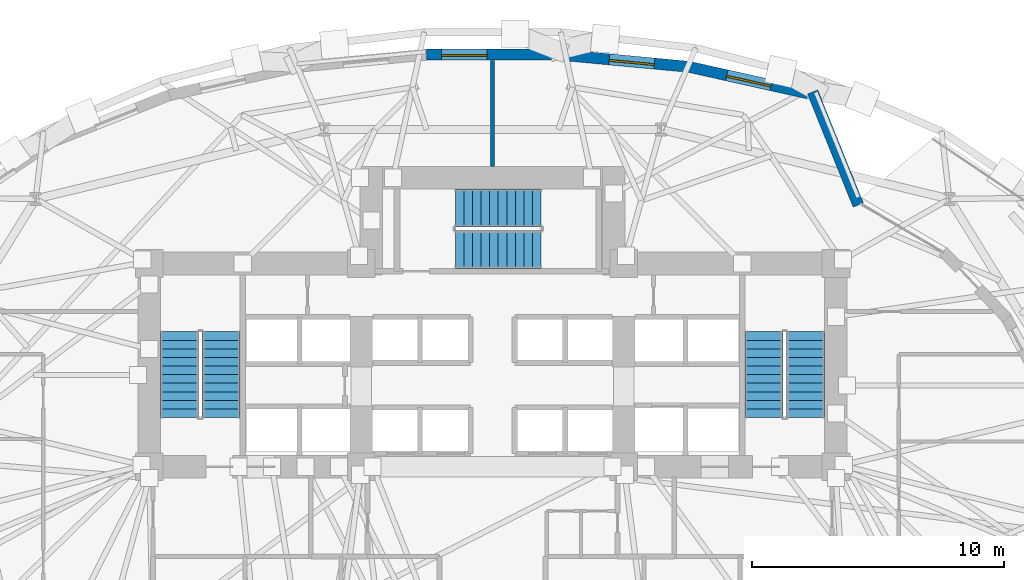
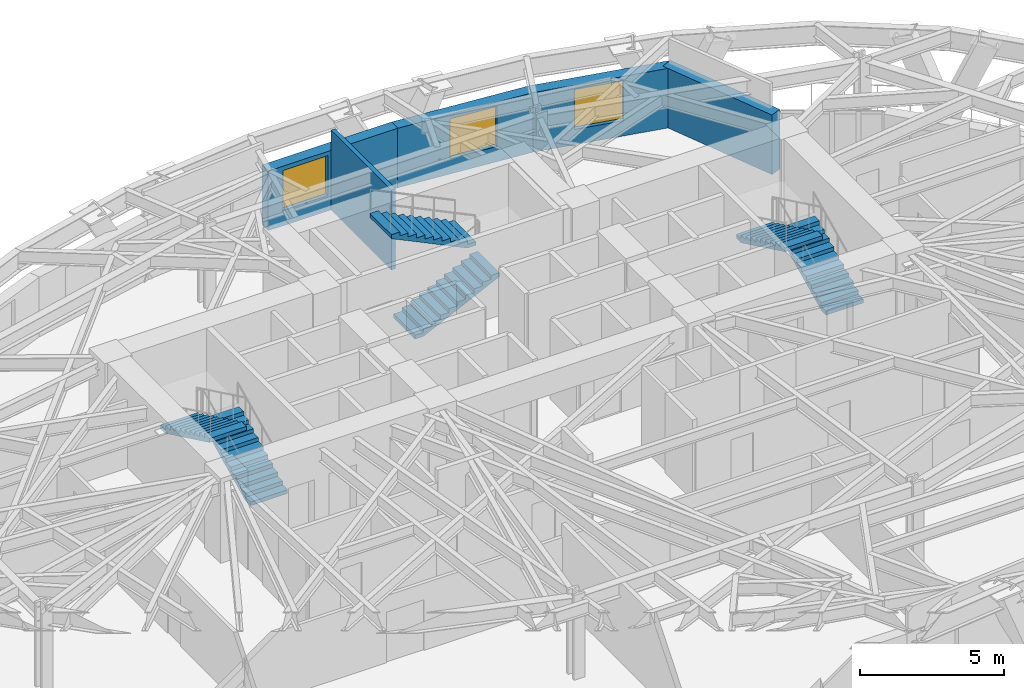
# One storey, part 11 of 15: 6 stair flights, 5 walls, 3 windows, 3 openings, 3 elements without a shape of their own.
"""IFC4 building model written with IfcOpenShell, lengths in metres."""

from ifc_helpers import new_model, si_unit, direction, frame, frame_2d, origin, place, context, subcontext, project, spatial, polyline, rectangle, outline, extrude, material, layer, layer_set, type_object, element, fill, aggregate, save


model = new_model("IFC4")

# Units and contexts
model_context = context("Model", 3, precision=1e-05, world=origin(), true_north=direction((0.0, 1.0)))
body_context = subcontext(model_context, "Body", "Model", "MODEL_VIEW")
ifc_project = project(units=[si_unit("LENGTHUNIT", "METRE"), si_unit("AREAUNIT", "SQUARE_METRE"), si_unit("VOLUMEUNIT", "CUBIC_METRE"), si_unit("PLANEANGLEUNIT", "RADIAN"), si_unit("MASSUNIT", "GRAM", prefix="KILO")], contexts=[model_context])

# Site, building, storey
site_placement = place(None, origin())
site = spatial("IfcSite", under=ifc_project, at=site_placement, CompositionType="ELEMENT")
building_placement = place(site_placement, origin())
building = spatial("IfcBuilding", under=site, at=building_placement, Name="Keldmark Tower", CompositionType="ELEMENT")
storey_placement = place(building_placement, frame((0.0, 0.0, 37.800048828125)))
storey = spatial("IfcBuildingStorey", under=building, at=storey_placement, Name="L09", CompositionType="ELEMENT", Elevation=37.800048828125)

# Walls
ifc_material_1 = material(Name="STC-58 Insulated Tenant Demising Gypsum Partition", Category="gypsum")
ifc_layer_1 = layer(ifc_material_1, 0.175048828125)
ifc_layer_set_1 = layer_set([ifc_layer_1], Name="STC-58 Insulated Tenant Demising Gypsum Partition")
wall_type_1 = type_object("IfcWallType", Name="Demising Suite Partition 175 mm", PredefinedType="PARTITIONING", material=ifc_layer_set_1)
wall_1_placement = place(storey_placement, frame((0.0, 13.300048828125, 0.0), z_axis=(0.0, 0.0, 1.0), x_axis=(0.0, 1.0, 0.0)))
element("IfcWall", 1, at=wall_1_placement, inside=storey, type_object=wall_type_1, Name="L09 Demising Suite Partition 175 mm N-MID-DIV", PredefinedType="PARTITIONING", context=body_context, shape_type="SweptSolid", body=[
    extrude(rectangle(XDim=4.198974609375, YDim=0.175048828125, at=frame_2d((2.099609375, 0.0))), origin(), (0.0, 0.0, 1.0), 3.39990234375),
])
ifc_material_2 = material(Name="Ironspot Manganese Brick and Kasota Buff Limestone Spandrel Assembly", Category="masonry")
ifc_layer_2 = layer(ifc_material_2, 0.43994140625)
ifc_layer_set_2 = layer_set([ifc_layer_2], Name="Ironspot Manganese Brick and Kasota Buff Limestone Spandrel Assembly")
wall_type_2 = type_object("IfcWallType", Name="Tower Brick Pier and Spandrel Wall 440 mm", PredefinedType="STANDARD", material=ifc_layer_set_2)
wall_2_placement = place(storey_placement, frame((12.68115234375, 16.24658203125, 0.0), z_axis=(0.0, 0.0, 1.0), x_axis=(0.373950808571, -0.927448539149, 0.0)))
element("IfcWall", 2, at=wall_2_placement, inside=storey, type_object=wall_type_2, Name="L09 Exterior Brick and Spandrel Wall 05", PredefinedType="STANDARD", context=body_context, shape_type="SweptSolid", body=[
    extrude(rectangle(XDim=4.831298828125, YDim=0.43994140625, at=frame_2d((2.41552734375, 0.0))), origin(), (0.0, 0.0, 1.0), 2.532958984375),
])

# Wall, opening, window
wall_3_placement = place(storey_placement, frame((7.77099609375, 17.244873046875, 0.0), z_axis=(0.0, 0.0, 1.0), x_axis=(0.975980782399, -0.217856632648, 0.0)))
wall_3 = element("IfcWall", 3, at=wall_3_placement, inside=storey, type_object=wall_type_2, Name="L09 Exterior Brick and Spandrel Wall 06", PredefinedType="STANDARD", context=body_context, shape_type="SweptSolid", body=[
    extrude(rectangle(XDim=5.19091796875, YDim=0.43994140625, at=frame_2d((2.595458984375, 0.0))), origin(), (0.0, 0.0, 1.0), 2.532958984375),
])
opening_1_placement = place(wall_3_placement, frame((1.5458984375, 0.0, 0.64990234375)))
opening_1 = element("IfcOpeningElement", 4, at=opening_1_placement, cuts=wall_3, Name="Opening W-02", PredefinedType="OPENING", context=body_context, shape_type="SweptSolid", body=[
    extrude(rectangle(XDim=1.800048828125, YDim=1.699951171875, at=frame_2d((0.89990234375, 0.85009765625))), frame((0.0, 0.22998046875, 0.0), z_axis=(0.0, -1.0, 0.0), x_axis=(1.0, 0.0, 0.0)), (0.0, 0.0, 1.0), 0.4599609375),
])
ifc_material_3 = material(Name="Thermally Broken Anodized Aluminum and Triple Low-E Argon Glazing", Category="aluminium")
window_type = type_object("IfcWindowType", Name="Office Deep-Set Triple Window 1800x1700", PartitioningType="TRIPLE_PANEL_VERTICAL", PredefinedType="WINDOW", material=ifc_material_3)
window_1_placement = place(opening_1_placement, origin())
window_1 = element("IfcWindow", 5, at=window_1_placement, inside=storey, type_object=window_type, Name="L09 Deep-Set Window 06", OverallHeight=1.699951171875, OverallWidth=1.800048828125, PartitioningType="SINGLE_PANEL", PredefinedType="WINDOW", context=body_context, shape_type="SweptSolid", body=[
    extrude(rectangle(XDim=1.800048828125, YDim=1.699951171875, at=frame_2d((0.89990234375, 0.85009765625))), frame((0.0, -0.010009765625, 0.0), z_axis=(0.0, -1.0, 0.0), x_axis=(1.0, 0.0, 0.0)), (0.0, 0.0, 1.0), 0.06005859375),
])
fill(opening_1, window_1)

wall_4_placement = place(storey_placement, frame((2.589111328125, 17.72802734375, 0.0), z_axis=(0.0, 0.0, 1.0), x_axis=(0.995649119539, -0.093181708301, 0.0)))
wall_4 = element("IfcWall", 6, at=wall_4_placement, inside=storey, type_object=wall_type_2, Name="L09 Exterior Brick and Spandrel Wall 07", PredefinedType="STANDARD", context=body_context, shape_type="SweptSolid", body=[
    extrude(rectangle(XDim=5.232177734375, YDim=0.43994140625, at=frame_2d((2.6162109375, 0.0))), origin(), (0.0, 0.0, 1.0), 2.532958984375),
])
opening_2_placement = place(wall_4_placement, frame((2.039306640625, 0.0, 0.64990234375)))
opening_2 = element("IfcOpeningElement", 7, at=opening_2_placement, cuts=wall_4, Name="Opening W-02", PredefinedType="OPENING", context=body_context, shape_type="SweptSolid", body=[
    extrude(rectangle(XDim=1.800048828125, YDim=1.699951171875, at=frame_2d((0.89990234375, 0.85009765625))), frame((0.0, 0.22998046875, 0.0), z_axis=(0.0, -1.0, 0.0), x_axis=(1.0, 0.0, 0.0)), (0.0, 0.0, 1.0), 0.4599609375),
])
window_2_placement = place(opening_2_placement, origin())
window_2 = element("IfcWindow", 8, at=window_2_placement, inside=storey, type_object=window_type, Name="L09 Deep-Set Window 07", OverallHeight=1.699951171875, OverallWidth=1.800048828125, PartitioningType="SINGLE_PANEL", PredefinedType="WINDOW", context=body_context, shape_type="SweptSolid", body=[
    extrude(rectangle(XDim=1.800048828125, YDim=1.699951171875, at=frame_2d((0.89990234375, 0.85009765625))), frame((0.0, -0.010009765625, 0.0), z_axis=(0.0, -1.0, 0.0), x_axis=(1.0, 0.0, 0.0)), (0.0, 0.0, 1.0), 0.06005859375),
])
fill(opening_2, window_2)

wall_5_placement = place(storey_placement, frame((-2.609619140625, 17.72705078125, 0.0), z_axis=(0.0, 0.0, 1.0), x_axis=(1.0, 0.0, 0.0)))
wall_5 = element("IfcWall", 9, at=wall_5_placement, inside=storey, type_object=wall_type_2, Name="L09 Exterior Brick and Spandrel Wall 08", PredefinedType="STANDARD", context=body_context, shape_type="SweptSolid", body=[
    extrude(rectangle(XDim=5.21923828125, YDim=0.43994140625, at=frame_2d((2.609619140625, 0.0))), origin(), (0.0, 0.0, 1.0), 2.532958984375),
])
opening_3_placement = place(wall_5_placement, frame((0.595947265625, 0.0, 0.64990234375)))
opening_3 = element("IfcOpeningElement", 10, at=opening_3_placement, cuts=wall_5, Name="Opening W-02", PredefinedType="OPENING", context=body_context, shape_type="SweptSolid", body=[
    extrude(rectangle(XDim=1.800048828125, YDim=1.699951171875, at=frame_2d((0.89990234375, 0.85009765625))), frame((0.0, 0.22998046875, 0.0), z_axis=(0.0, -1.0, 0.0), x_axis=(1.0, 0.0, 0.0)), (0.0, 0.0, 1.0), 0.4599609375),
])
window_3_placement = place(opening_3_placement, origin())
window_3 = element("IfcWindow", 11, at=window_3_placement, inside=storey, type_object=window_type, Name="L09 Deep-Set Window 08", OverallHeight=1.699951171875, OverallWidth=1.800048828125, PartitioningType="SINGLE_PANEL", PredefinedType="WINDOW", context=body_context, shape_type="SweptSolid", body=[
    extrude(rectangle(XDim=1.800048828125, YDim=1.699951171875, at=frame_2d((0.89990234375, 0.85009765625))), frame((0.0, -0.010009765625, 0.0), z_axis=(0.0, -1.0, 0.0), x_axis=(1.0, 0.0, 0.0)), (0.0, 0.0, 1.0), 0.06005859375),
])
fill(opening_3, window_3)

# Stair, stair flights
ifc_material_4 = material(Name="Concrete C40/50", Category="concrete")
stair_type = type_object("IfcStairType", Name="Precast Concrete Core Exit Stair", PredefinedType="HALF_TURN_STAIR", material=ifc_material_4)
stair_1_placement = place(storey_placement, origin())
stair_1 = element("IfcStair", 12, at=stair_1_placement, inside=storey, type_object=stair_type, Name="L09 Exit Stair ST1", PredefinedType="HALF_TURN_STAIR")
ifc_material_5 = material(Name="Concrete C40/50", Category="concrete")
stair_flight_type = type_object("IfcStairFlightType", Name="Precast Concrete Stair Flight 1500 mm", PredefinedType="STRAIGHT", material=ifc_material_5)
stair_flight_1_placement = place(storey_placement, frame((-10.75, 3.35009765625, 0.0), z_axis=(0.0, 0.0, 1.0), x_axis=(0.0, 1.0, 0.0)))
stair_flight_1 = element("IfcStairFlight", 13, at=stair_flight_1_placement, type_object=stair_flight_type, Name="ST1 flight 1", NumberOfRisers=11, NumberOfTreads=10, PredefinedType="STRAIGHT", RiserHeight=0.163636364, TreadLength=0.34, context=body_context, shape_type="SweptSolid", body=[
    extrude(outline(polyline([(0.0, 0.0), (0.0, 0.16357421875), (0.340087890625, 0.16357421875), (0.340087890625, 0.327392578125), (0.679931640625, 0.327392578125), (0.679931640625, 0.490966796875), (1.02001953125, 0.490966796875), (1.02001953125, 0.654541015625), (1.360107421875, 0.654541015625), (1.360107421875, 0.818115234375), (1.699951171875, 0.818115234375), (1.699951171875, 0.98193359375), (2.0400390625, 0.98193359375), (2.0400390625, 1.1455078125), (2.3798828125, 1.1455078125), (2.3798828125, 1.30908203125), (2.719970703125, 1.30908203125), (2.719970703125, 1.47265625), (3.06005859375, 1.47265625), (3.06005859375, 1.636474609375), (3.39990234375, 1.636474609375), (3.39990234375, 1.800048828125), (3.39990234375, 1.469970703125), (0.345703125, 0.0), (0.0, 0.0)])), frame((0.0, 0.75, 0.0), z_axis=(0.0, -1.0, 0.0), x_axis=(1.0, 0.0, 0.0)), (0.0, 0.0, 1.0), 1.5),
])
stair_flight_2_placement = place(storey_placement, frame((-12.39990234375, 6.75, 1.800048828125), z_axis=(0.0, 0.0, 1.0), x_axis=(0.0, -1.0, 0.0)))
stair_flight_2 = element("IfcStairFlight", 14, at=stair_flight_2_placement, type_object=stair_flight_type, Name="ST1 flight 2", NumberOfRisers=11, NumberOfTreads=10, PredefinedType="STRAIGHT", RiserHeight=0.163636364, TreadLength=0.34, context=body_context, shape_type="SweptSolid", body=[
    extrude(outline(polyline([(0.0, 0.0), (0.0, 0.16357421875), (0.340087890625, 0.16357421875), (0.340087890625, 0.327392578125), (0.679931640625, 0.327392578125), (0.679931640625, 0.490966796875), (1.02001953125, 0.490966796875), (1.02001953125, 0.654541015625), (1.360107421875, 0.654541015625), (1.360107421875, 0.818115234375), (1.699951171875, 0.818115234375), (1.699951171875, 0.98193359375), (2.0400390625, 0.98193359375), (2.0400390625, 1.1455078125), (2.3798828125, 1.1455078125), (2.3798828125, 1.30908203125), (2.719970703125, 1.30908203125), (2.719970703125, 1.47265625), (3.06005859375, 1.47265625), (3.06005859375, 1.636474609375), (3.39990234375, 1.636474609375), (3.39990234375, 1.800048828125), (3.39990234375, 1.469970703125), (0.345703125, 0.0), (0.0, 0.0)])), frame((0.0, 0.75, 0.0), z_axis=(0.0, -1.0, 0.0), x_axis=(1.0, 0.0, 0.0)), (0.0, 0.0, 1.0), 1.5),
])
aggregate(stair_1, [stair_flight_1, stair_flight_2])

stair_2_placement = place(storey_placement, origin())
stair_2 = element("IfcStair", 15, at=stair_2_placement, inside=storey, type_object=stair_type, Name="L09 Exit Stair ST2", PredefinedType="HALF_TURN_STAIR")
stair_flight_3_placement = place(storey_placement, frame((12.39990234375, 3.35009765625, 0.0), z_axis=(0.0, 0.0, 1.0), x_axis=(0.0, 1.0, 0.0)))
stair_flight_3 = element("IfcStairFlight", 16, at=stair_flight_3_placement, type_object=stair_flight_type, Name="ST2 flight 1", NumberOfRisers=11, NumberOfTreads=10, PredefinedType="STRAIGHT", RiserHeight=0.163636364, TreadLength=0.34, context=body_context, shape_type="SweptSolid", body=[
    extrude(outline(polyline([(0.0, 0.0), (0.0, 0.16357421875), (0.340087890625, 0.16357421875), (0.340087890625, 0.327392578125), (0.679931640625, 0.327392578125), (0.679931640625, 0.490966796875), (1.02001953125, 0.490966796875), (1.02001953125, 0.654541015625), (1.360107421875, 0.654541015625), (1.360107421875, 0.818115234375), (1.699951171875, 0.818115234375), (1.699951171875, 0.98193359375), (2.0400390625, 0.98193359375), (2.0400390625, 1.1455078125), (2.3798828125, 1.1455078125), (2.3798828125, 1.30908203125), (2.719970703125, 1.30908203125), (2.719970703125, 1.47265625), (3.06005859375, 1.47265625), (3.06005859375, 1.636474609375), (3.39990234375, 1.636474609375), (3.39990234375, 1.800048828125), (3.39990234375, 1.469970703125), (0.345703125, 0.0), (0.0, 0.0)])), frame((0.0, 0.75, 0.0), z_axis=(0.0, -1.0, 0.0), x_axis=(1.0, 0.0, 0.0)), (0.0, 0.0, 1.0), 1.5),
])
stair_flight_4_placement = place(storey_placement, frame((10.75, 6.75, 1.800048828125), z_axis=(0.0, 0.0, 1.0), x_axis=(0.0, -1.0, 0.0)))
stair_flight_4 = element("IfcStairFlight", 17, at=stair_flight_4_placement, type_object=stair_flight_type, Name="ST2 flight 2", NumberOfRisers=11, NumberOfTreads=10, PredefinedType="STRAIGHT", RiserHeight=0.163636364, TreadLength=0.34, context=body_context, shape_type="SweptSolid", body=[
    extrude(outline(polyline([(0.0, 0.0), (0.0, 0.16357421875), (0.340087890625, 0.16357421875), (0.340087890625, 0.327392578125), (0.679931640625, 0.327392578125), (0.679931640625, 0.490966796875), (1.02001953125, 0.490966796875), (1.02001953125, 0.654541015625), (1.360107421875, 0.654541015625), (1.360107421875, 0.818115234375), (1.699951171875, 0.818115234375), (1.699951171875, 0.98193359375), (2.0400390625, 0.98193359375), (2.0400390625, 1.1455078125), (2.3798828125, 1.1455078125), (2.3798828125, 1.30908203125), (2.719970703125, 1.30908203125), (2.719970703125, 1.47265625), (3.06005859375, 1.47265625), (3.06005859375, 1.636474609375), (3.39990234375, 1.636474609375), (3.39990234375, 1.800048828125), (3.39990234375, 1.469970703125), (0.345703125, 0.0), (0.0, 0.0)])), frame((0.0, 0.75, 0.0), z_axis=(0.0, -1.0, 0.0), x_axis=(1.0, 0.0, 0.0)), (0.0, 0.0, 1.0), 1.5),
])
aggregate(stair_2, [stair_flight_3, stair_flight_4])

stair_3_placement = place(storey_placement, origin())
stair_3 = element("IfcStair", 18, at=stair_3_placement, inside=storey, type_object=stair_type, Name="L09 Exit Stair ST3", PredefinedType="HALF_TURN_STAIR")
stair_flight_5_placement = place(storey_placement, frame((-1.47509765625, 10.0, 0.0), z_axis=(0.0, 0.0, 1.0), x_axis=(1.0, 0.0, 0.0)))
stair_flight_5 = element("IfcStairFlight", 19, at=stair_flight_5_placement, type_object=stair_flight_type, Name="ST3 flight 1", NumberOfRisers=11, NumberOfTreads=10, PredefinedType="STRAIGHT", RiserHeight=0.163636364, TreadLength=0.34, context=body_context, shape_type="SweptSolid", body=[
    extrude(outline(polyline([(0.0, 0.0), (0.0, 0.16357421875), (0.340087890625, 0.16357421875), (0.340087890625, 0.327392578125), (0.679931640625, 0.327392578125), (0.679931640625, 0.490966796875), (1.02001953125, 0.490966796875), (1.02001953125, 0.654541015625), (1.360107421875, 0.654541015625), (1.360107421875, 0.818115234375), (1.699951171875, 0.818115234375), (1.699951171875, 0.98193359375), (2.0400390625, 0.98193359375), (2.0400390625, 1.1455078125), (2.3798828125, 1.1455078125), (2.3798828125, 1.30908203125), (2.719970703125, 1.30908203125), (2.719970703125, 1.47265625), (3.06005859375, 1.47265625), (3.06005859375, 1.636474609375), (3.39990234375, 1.636474609375), (3.39990234375, 1.800048828125), (3.39990234375, 1.469970703125), (0.345703125, 0.0), (0.0, 0.0)])), frame((0.0, 0.75, 0.0), z_axis=(0.0, -1.0, 0.0), x_axis=(1.0, 0.0, 0.0)), (0.0, 0.0, 1.0), 1.5),
])
stair_flight_6_placement = place(storey_placement, frame((1.925048828125, 11.64990234375, 1.800048828125), z_axis=(0.0, 0.0, 1.0), x_axis=(-1.0, 0.0, 0.0)))
stair_flight_6 = element("IfcStairFlight", 20, at=stair_flight_6_placement, type_object=stair_flight_type, Name="ST3 flight 2", NumberOfRisers=11, NumberOfTreads=10, PredefinedType="STRAIGHT", RiserHeight=0.163636364, TreadLength=0.34, context=body_context, shape_type="SweptSolid", body=[
    extrude(outline(polyline([(0.0, 0.0), (0.0, 0.16357421875), (0.340087890625, 0.16357421875), (0.340087890625, 0.327392578125), (0.679931640625, 0.327392578125), (0.679931640625, 0.490966796875), (1.02001953125, 0.490966796875), (1.02001953125, 0.654541015625), (1.360107421875, 0.654541015625), (1.360107421875, 0.818115234375), (1.699951171875, 0.818115234375), (1.699951171875, 0.98193359375), (2.0400390625, 0.98193359375), (2.0400390625, 1.1455078125), (2.3798828125, 1.1455078125), (2.3798828125, 1.30908203125), (2.719970703125, 1.30908203125), (2.719970703125, 1.47265625), (3.06005859375, 1.47265625), (3.06005859375, 1.636474609375), (3.39990234375, 1.636474609375), (3.39990234375, 1.800048828125), (3.39990234375, 1.469970703125), (0.345703125, 0.0), (0.0, 0.0)])), frame((0.0, 0.75, 0.0), z_axis=(0.0, -1.0, 0.0), x_axis=(1.0, 0.0, 0.0)), (0.0, 0.0, 1.0), 1.5),
])
aggregate(stair_3, [stair_flight_5, stair_flight_6])

save(model, "model.ifc")
